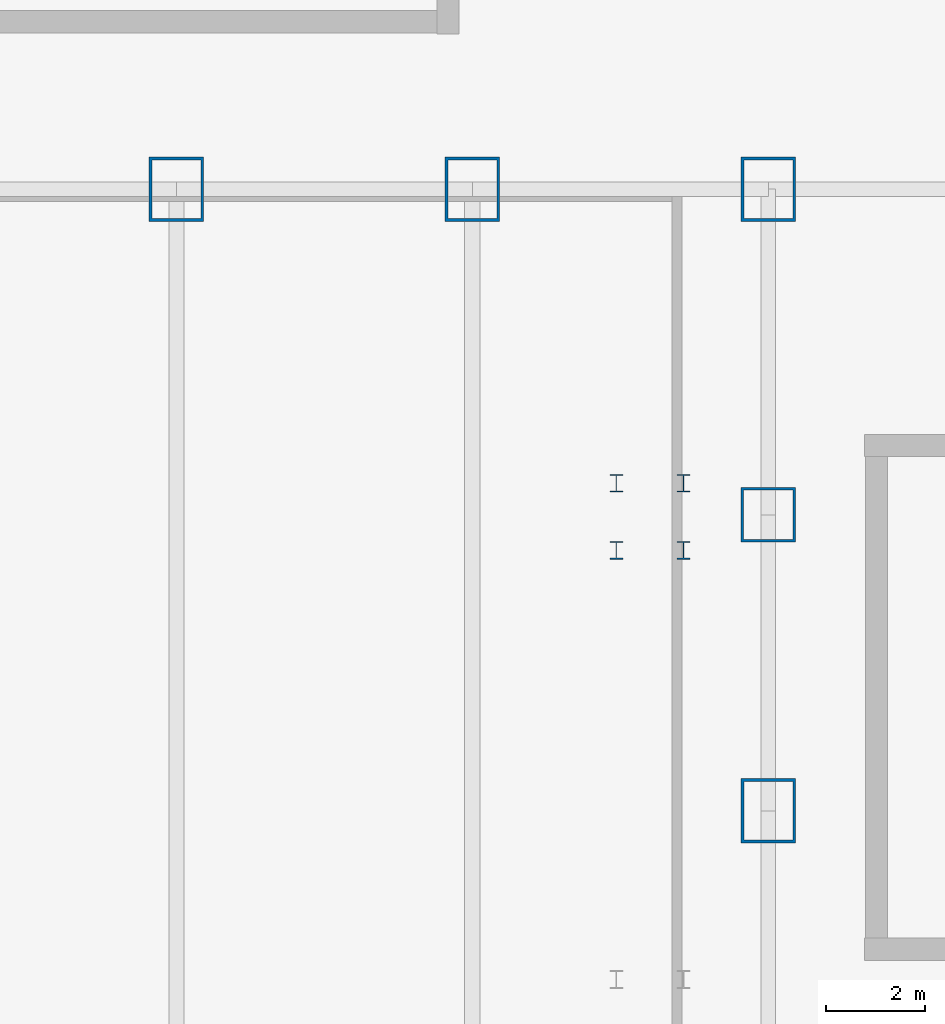
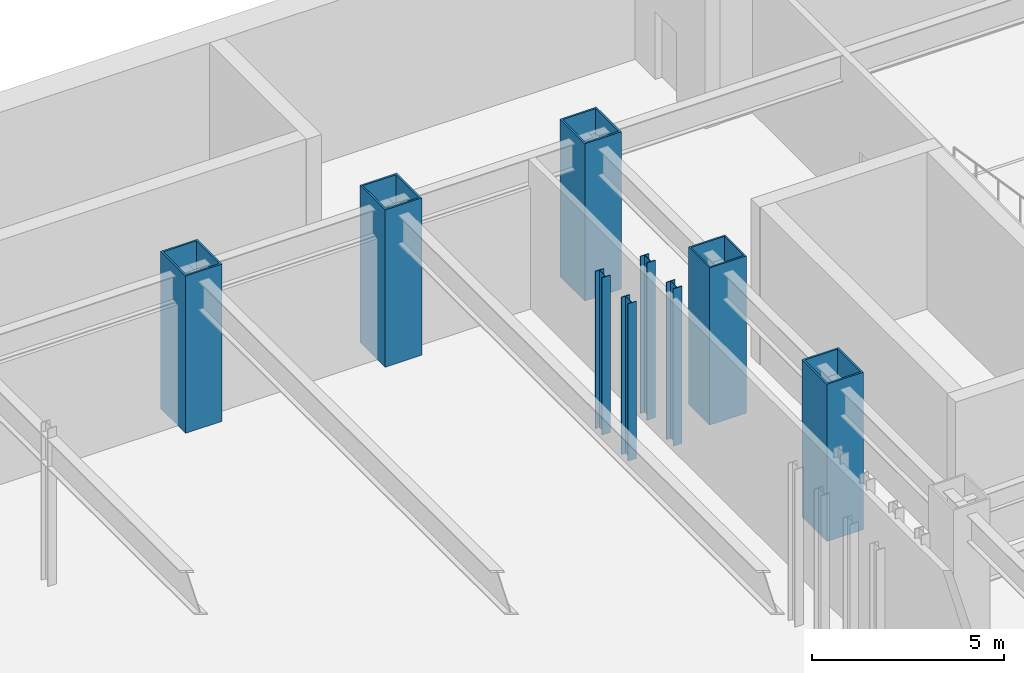
# One storey, part 4 of 16: 9 columns.
"""IFC4 building model written with IfcOpenShell, lengths in metres."""

from ifc_helpers import new_model, si_unit, derived_unit, direction, frame, origin, origin_2d, place, context, subcontext, project, spatial, hollow_rectangle, i_section, extrude, source, transform, mapped, material, material_profile, profile_set, type_object, element, save


model = new_model("IFC4")

# Units and contexts
model_context = context("Model", 3, precision=1e-05, world=origin(), true_north=direction((0.0, 1.0)))
body_context = subcontext(model_context, "Body", "Model", "MODEL_VIEW")
ifc_project = project(units=[si_unit("LENGTHUNIT", "METRE"), si_unit("AREAUNIT", "SQUARE_METRE"), si_unit("VOLUMEUNIT", "CUBIC_METRE"), si_unit("PLANEANGLEUNIT", "RADIAN"), si_unit("MASSUNIT", "GRAM", prefix="KILO"), derived_unit("THERMALTRANSMITTANCEUNIT", [(si_unit("POWERUNIT", "WATT"), 1), (si_unit("LENGTHUNIT", "METRE"), -2), (si_unit("THERMODYNAMICTEMPERATUREUNIT", "KELVIN"), -1)])], contexts=[model_context])

# Site, building, storey
site_placement = place(None, origin())
site = spatial("IfcSite", under=ifc_project, at=site_placement, CompositionType="ELEMENT")
building_placement = place(site_placement, origin())
building = spatial("IfcBuilding", under=site, at=building_placement, Name="Skarnbrae Concourse Arena and Tower", CompositionType="ELEMENT")
storey_placement = place(building_placement, frame((0.0, 0.0, -5.0)))
storey = spatial("IfcBuildingStorey", under=building, at=storey_placement, Name="B01", CompositionType="ELEMENT", Elevation=-5.0)

# Columns
ifc_material = material(Name="Steel CSA G40.21 350W", Category="steel")
ifc_material_profile_1 = material_profile(ifc_material, hollow_rectangle(XDim=1.10009765625, YDim=1.10009765625, WallThickness=0.050048828125, at=origin_2d()), Name="BOX1100X1100X50")
ifc_profile_set_1 = profile_set([ifc_material_profile_1], Name="Steel CSA G40.21 350W")
column_type_1 = type_object("IfcColumnType", Name="COL-MEGA-BOX1100", PredefinedType="PILASTER", material=ifc_profile_set_1)
shared_shape_1 = source(origin(), body_context, "Body", "SweptSolid", [
    extrude(hollow_rectangle(XDim=1.10009765625, YDim=1.10009765625, WallThickness=0.050048828125, at=origin_2d()), origin(), (0.0, 0.0, 1.0), 5.0),
])
column_placement = place(storey_placement, frame((61.0, 40.39990234375, 0.0), z_axis=(0.0, 0.0, 1.0), x_axis=(1.0, 0.0, 0.0)))
element("IfcColumn", 1, at=column_placement, inside=storey, type_object=column_type_1, Name="B01 Podium mega-column MC-E4", PredefinedType="PILASTER", context=body_context, shape_type="MappedRepresentation", body=[
    mapped(shared_shape_1, transform((0.0, 0.0, 0.0))),
])
ifc_material_profile_2 = material_profile(ifc_material, hollow_rectangle(XDim=1.10009765625, YDim=1.300048828125, WallThickness=0.054931640625, at=origin_2d()), Name="BOX1300X1100X55")
ifc_profile_set_2 = profile_set([ifc_material_profile_2], Name="Steel CSA G40.21 350W")
column_type_2 = type_object("IfcColumnType", Name="COL-MEGA-BOX1300", PredefinedType="PILASTER", material=ifc_profile_set_2)
shared_shape_2 = source(origin(), body_context, "Body", "SweptSolid", [
    extrude(hollow_rectangle(XDim=1.10009765625, YDim=1.300048828125, WallThickness=0.054931640625, at=origin_2d()), origin(), (0.0, 0.0, 1.0), 5.0),
])
for number, where, z_axis, x_axis, name in (
    (2, (49.0, 47.0, 0.0), (0.0, 0.0, 1.0), (1.0, 0.0, 0.0), "B01 Podium mega-column MC-N8"),
    (3, (55.0, 47.0, 0.0), (0.0, 0.0, 1.0), (1.0, 0.0, 0.0), "B01 Podium mega-column MC-N9"),
    (4, (61.0, 47.0, 0.0), (0.0, 0.0, 1.0), (1.0, 0.0, 0.0), "B01 Podium mega-column MC-N10"),
    (5, (61.0, 34.39990234375, 0.0), (0.0, 0.0, 1.0), (1.0, 0.0, 0.0), "B01 Podium mega-column MC-E3"),
):
    element("IfcColumn", number, at=place(storey_placement, frame(where, z_axis=z_axis, x_axis=x_axis)), inside=storey, type_object=column_type_2, Name=name, PredefinedType="PILASTER", context=body_context, shape_type="MappedRepresentation", body=[
        mapped(shared_shape_2, transform((0.0, 0.0, 0.0))),
    ])
ifc_material_profile_3 = material_profile(ifc_material, i_section(OverallWidth=0.257080078125, OverallDepth=0.363037109375, WebThickness=0.012939453125, FlangeThickness=0.021728515625, at=origin_2d()), Name="W360X122")
ifc_profile_set_3 = profile_set([ifc_material_profile_3], Name="Steel CSA G40.21 350W")
column_type_3 = type_object("IfcColumnType", Name="COL-POD-W360X122", PredefinedType="COLUMN", material=ifc_profile_set_3)
shared_shape_3 = source(origin(), body_context, "Body", "SweptSolid", [
    extrude(i_section(OverallWidth=0.257080078125, OverallDepth=0.363037109375, WebThickness=0.012939453125, FlangeThickness=0.021728515625, at=origin_2d()), origin(), (0.0, 0.0, 1.0), 5.0),
])
for number, where, z_axis, x_axis, name in (
    (6, (57.919921875, 39.679931640625, 0.0), (0.0, 0.0, 1.0), (1.0, 0.0, 0.0), "B01 Concourse stair ST-CONC-3-L01 TOP post 11"),
    (7, (57.919921875, 41.0400390625, 0.0), (0.0, 0.0, 1.0), (1.0, 0.0, 0.0), "B01 Concourse stair ST-CONC-3-L01 TOP post 12"),
    (8, (59.280029296875, 39.679931640625, 0.0), (0.0, 0.0, 1.0), (1.0, 0.0, 0.0), "B01 Concourse stair ST-CONC-3-L01 TOP post 21"),
    (9, (59.280029296875, 41.0400390625, 0.0), (0.0, 0.0, 1.0), (1.0, 0.0, 0.0), "B01 Concourse stair ST-CONC-3-L01 TOP post 22"),
):
    element("IfcColumn", number, at=place(storey_placement, frame(where, z_axis=z_axis, x_axis=x_axis)), inside=storey, type_object=column_type_3, Name=name, PredefinedType="COLUMN", context=body_context, shape_type="MappedRepresentation", body=[
        mapped(shared_shape_3, transform((0.0, 0.0, 0.0))),
    ])

save(model, "model.ifc")
